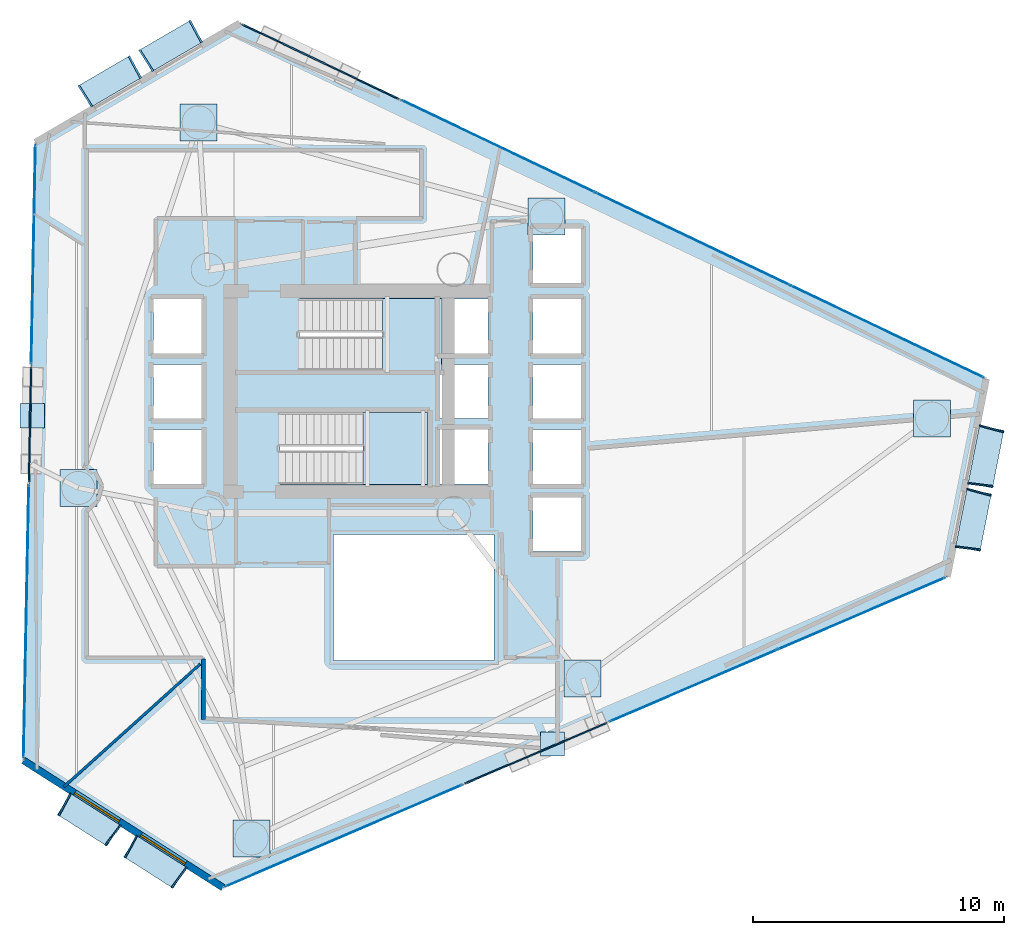
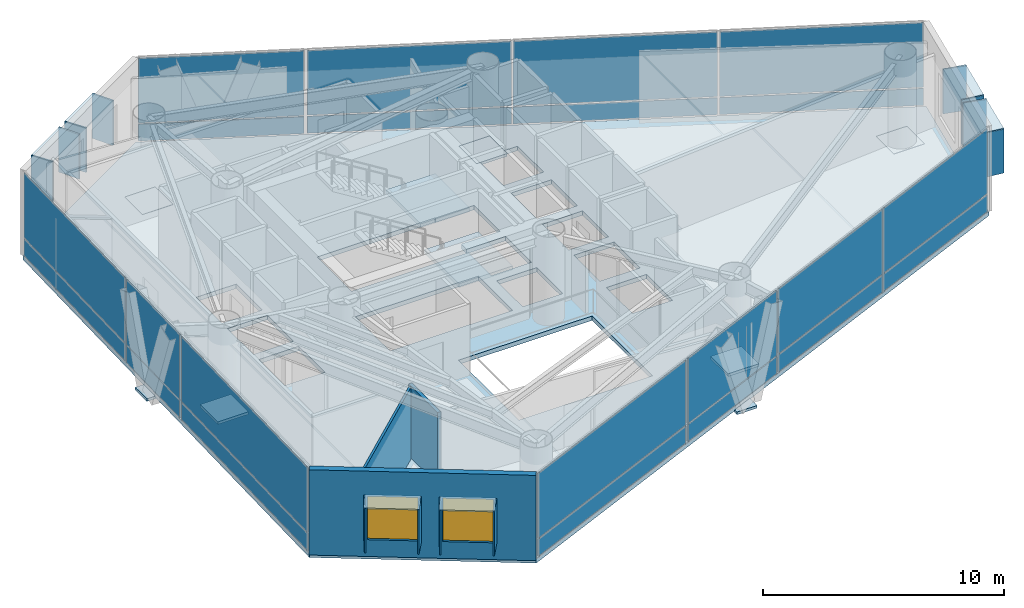
# One storey, part 15 of 21: 48 plates, 3 slabs, 3 walls, 2 windows, 2 openings, 10 elements without a shape of their own.
"""IFC4 building model written with IfcOpenShell, lengths in metres."""

from ifc_helpers import new_model, si_unit, direction, frame, frame_2d, origin, origin_2d, place, context, subcontext, project, spatial, polyline, rectangle, outline, extrude, material, layer, layer_set, type_object, element, fill, aggregate, save


model = new_model("IFC4")

# Units and contexts
model_context = context("Model", 3, precision=1e-05, world=origin(), true_north=direction((0.0, 1.0)))
body_context = subcontext(model_context, "Body", "Model", "MODEL_VIEW")
ifc_project = project(units=[si_unit("LENGTHUNIT", "METRE"), si_unit("AREAUNIT", "SQUARE_METRE"), si_unit("VOLUMEUNIT", "CUBIC_METRE"), si_unit("PLANEANGLEUNIT", "RADIAN"), si_unit("MASSUNIT", "GRAM", prefix="KILO")], contexts=[model_context])

# Site, building, storey
site_placement = place(None, origin())
site = spatial("IfcSite", under=ifc_project, at=site_placement, CompositionType="ELEMENT")
building_placement = place(site_placement, origin())
building = spatial("IfcBuilding", under=site, at=building_placement, Name="Qianvela Tower", CompositionType="ELEMENT")
storey_placement = place(building_placement, frame((0.0, 0.0, 143.10009765625)))
storey = spatial("IfcBuildingStorey", under=building, at=storey_placement, Name="L36", CompositionType="ELEMENT", Elevation=143.10009765625)

# Curtain wall, plates
ifc_material_1 = material(Name="Anodised Architectural Aluminium and Insulated Spandrel Panel", Category="aluminium")
ifc_layer_1 = layer(ifc_material_1, 0.179931640625)
ifc_layer_set_1 = layer_set([ifc_layer_1], Name="Anodised Architectural Aluminium and Insulated Spandrel Panel")
curtain_wall_type_1 = type_object("IfcCurtainWallType", Name="CW-BRACEBAY", PredefinedType="USERDEFINED", material=ifc_layer_set_1)
curtain_wall_1_placement = place(storey_placement, origin())
curtain_wall_1 = element("IfcCurtainWall", 1, at=curtain_wall_1_placement, inside=storey, type_object=curtain_wall_type_1, Name="L36 CW-BRACEBAY Curtain Wall 02B", ObjectType="CURTAIN_WALL_SYSTEM", PredefinedType="USERDEFINED")
ifc_material_2 = material(Name="Insulated Aluminium Spandrel Panel with Mineral-Wool Backpan", Category="aluminium")
ifc_layer_2 = layer(ifc_material_2, 0.06005859375)
ifc_layer_set_2 = layer_set([ifc_layer_2], Name="Insulated Aluminium Spandrel Panel with Mineral-Wool Backpan")
plate_type_1 = type_object("IfcPlateType", Name="CW-BRACEBAY-PNL", PredefinedType="CURTAIN_PANEL", material=ifc_layer_set_2)
plate_1_placement = place(storey_placement, frame((33.095947265625, 41.828857421875, 0.06494140625), z_axis=(0.0, 0.0, 1.0), x_axis=(-0.902787653547, 0.430086564081, 0.0)))
plate_1 = element("IfcPlate", 2, at=plate_1_placement, type_object=plate_type_1, Name="CW-9 panel 1.1", PredefinedType="CURTAIN_PANEL", context=body_context, shape_type="SweptSolid", body=[
    extrude(rectangle(XDim=6.898193359375, YDim=0.06005859375, at=origin_2d()), origin(), (0.0, 0.0, 1.0), 0.8525390625),
])
plate_2_placement = place(storey_placement, frame((33.095947265625, 41.828857421875, 0.982421875), z_axis=(0.0, 0.0, 1.0), x_axis=(-0.902787653547, 0.430086564081, 0.0)))
plate_2 = element("IfcPlate", 3, at=plate_2_placement, type_object=plate_type_1, Name="CW-9 panel 1.2", PredefinedType="CURTAIN_PANEL", context=body_context, shape_type="SweptSolid", body=[
    extrude(rectangle(XDim=6.898193359375, YDim=0.06005859375, at=origin_2d()), origin(), (0.0, 0.0, 1.0), 3.2724609375),
])
aggregate(curtain_wall_1, [plate_1, plate_2])

curtain_wall_2_placement = place(storey_placement, origin())
curtain_wall_2 = element("IfcCurtainWall", 4, at=curtain_wall_2_placement, inside=storey, type_object=curtain_wall_type_1, Name="L36 CW-BRACEBAY Curtain Wall 04B", ObjectType="CURTAIN_WALL_SYSTEM", PredefinedType="USERDEFINED")
plate_3_placement = place(storey_placement, frame((21.523681640625, 27.386474609375, 0.06494140625), z_axis=(0.0, 0.0, 1.0), x_axis=(-0.019531929019, -0.999809233678, 0.0)))
plate_3 = element("IfcPlate", 5, at=plate_3_placement, type_object=plate_type_1, Name="CW-9 panel 1.1", PredefinedType="CURTAIN_PANEL", context=body_context, shape_type="SweptSolid", body=[
    extrude(rectangle(XDim=4.570068359375, YDim=0.06005859375, at=origin_2d()), origin(), (0.0, 0.0, 1.0), 0.8525390625),
])
plate_4_placement = place(storey_placement, frame((21.523681640625, 27.386474609375, 0.982421875), z_axis=(0.0, 0.0, 1.0), x_axis=(-0.019531929019, -0.999809233678, 0.0)))
plate_4 = element("IfcPlate", 6, at=plate_4_placement, type_object=plate_type_1, Name="CW-9 panel 1.2", PredefinedType="CURTAIN_PANEL", context=body_context, shape_type="SweptSolid", body=[
    extrude(rectangle(XDim=4.570068359375, YDim=0.06005859375, at=origin_2d()), origin(), (0.0, 0.0, 1.0), 3.2724609375),
])
aggregate(curtain_wall_2, [plate_3, plate_4])

curtain_wall_3_placement = place(storey_placement, origin())
curtain_wall_3 = element("IfcCurtainWall", 7, at=curtain_wall_3_placement, inside=storey, type_object=curtain_wall_type_1, Name="L36 CW-BRACEBAY Curtain Wall 06B", ObjectType="CURTAIN_WALL_SYSTEM", PredefinedType="USERDEFINED")
plate_5_placement = place(storey_placement, frame((41.670654296875, 14.30029296875, 0.06494140625), z_axis=(0.0, 0.0, 1.0), x_axis=(0.918905628627, 0.394477433674, 0.0)))
plate_5 = element("IfcPlate", 8, at=plate_5_placement, type_object=plate_type_1, Name="CW-9 panel 1.1", PredefinedType="CURTAIN_PANEL", context=body_context, shape_type="SweptSolid", body=[
    extrude(rectangle(XDim=6.14013671875, YDim=0.06005859375, at=origin_2d()), origin(), (0.0, 0.0, 1.0), 0.8525390625),
])
plate_6_placement = place(storey_placement, frame((41.670654296875, 14.30029296875, 0.982421875), z_axis=(0.0, 0.0, 1.0), x_axis=(0.918905628627, 0.394477433674, 0.0)))
plate_6 = element("IfcPlate", 9, at=plate_6_placement, type_object=plate_type_1, Name="CW-9 panel 1.2", PredefinedType="CURTAIN_PANEL", context=body_context, shape_type="SweptSolid", body=[
    extrude(rectangle(XDim=6.14013671875, YDim=0.06005859375, at=origin_2d()), origin(), (0.0, 0.0, 1.0), 3.2724609375),
])
aggregate(curtain_wall_3, [plate_5, plate_6])

ifc_material_3 = material(Name="Anodised Architectural Aluminium and Low-E Glass", Category="aluminium")
ifc_layer_3 = layer(ifc_material_3, 0.18994140625)
ifc_layer_set_3 = layer_set([ifc_layer_3], Name="Anodised Architectural Aluminium and Low-E Glass")
curtain_wall_type_2 = type_object("IfcCurtainWallType", Name="CW-SKYLOBBY", PredefinedType="USERDEFINED", material=ifc_layer_set_3)
curtain_wall_4_placement = place(storey_placement, origin())
curtain_wall_4 = element("IfcCurtainWall", 10, at=curtain_wall_4_placement, inside=storey, type_object=curtain_wall_type_2, Name="L36 CW-SKYLOBBY Curtain Wall 02A", ObjectType="CURTAIN_WALL_SYSTEM", PredefinedType="USERDEFINED")
ifc_material_4 = material(Name="Double-Silver Low-E Insulated Glass", Category="glass")
ifc_layer_4 = layer(ifc_material_4, 0.033935546875)
ifc_layer_set_4 = layer_set([ifc_layer_4], Name="Double-Silver Low-E Insulated Glass")
plate_type_2 = type_object("IfcPlateType", Name="CW-SKYLOBBY-PNL", PredefinedType="CURTAIN_PANEL", material=ifc_layer_set_4)
plate_7_placement = place(storey_placement, frame((55.6474609375, 31.08544921875, 0.06494140625), z_axis=(0.0, 0.0, 1.0), x_axis=(-0.90278686974, 0.430088209354, 0.0)))
plate_7 = element("IfcPlate", 11, at=plate_7_placement, type_object=plate_type_2, Name="CW-7 panel 1.1", PredefinedType="CURTAIN_PANEL", context=body_context, shape_type="SweptSolid", body=[
    extrude(rectangle(XDim=8.48828125, YDim=0.033935546875, at=origin_2d()), origin(), (0.0, 0.0, 1.0), 0.8525390625),
])
plate_8_placement = place(storey_placement, frame((55.6474609375, 31.08544921875, 0.982421875), z_axis=(0.0, 0.0, 1.0), x_axis=(-0.90278686974, 0.430088209354, 0.0)))
plate_8 = element("IfcPlate", 12, at=plate_8_placement, type_object=plate_type_2, Name="CW-7 panel 1.2", PredefinedType="CURTAIN_PANEL", context=body_context, shape_type="SweptSolid", body=[
    extrude(rectangle(XDim=8.48828125, YDim=0.033935546875, at=origin_2d()), origin(), (0.0, 0.0, 1.0), 3.2724609375),
])
plate_9_placement = place(storey_placement, frame((47.9052734375, 34.773681640625, 0.06494140625), z_axis=(0.0, 0.0, 1.0), x_axis=(-0.90278686974, 0.430088209354, 0.0)))
plate_9 = element("IfcPlate", 13, at=plate_9_placement, type_object=plate_type_2, Name="CW-7 panel 2.1", PredefinedType="CURTAIN_PANEL", context=body_context, shape_type="SweptSolid", body=[
    extrude(rectangle(XDim=8.5234375, YDim=0.033935546875, at=origin_2d()), origin(), (0.0, 0.0, 1.0), 0.8525390625),
])
plate_10_placement = place(storey_placement, frame((47.9052734375, 34.773681640625, 0.982421875), z_axis=(0.0, 0.0, 1.0), x_axis=(-0.90278686974, 0.430088209354, 0.0)))
plate_10 = element("IfcPlate", 14, at=plate_10_placement, type_object=plate_type_2, Name="CW-7 panel 2.2", PredefinedType="CURTAIN_PANEL", context=body_context, shape_type="SweptSolid", body=[
    extrude(rectangle(XDim=8.5234375, YDim=0.033935546875, at=origin_2d()), origin(), (0.0, 0.0, 1.0), 3.2724609375),
])
plate_11_placement = place(storey_placement, frame((40.1630859375, 38.462158203125, 0.06494140625), z_axis=(0.0, 0.0, 1.0), x_axis=(-0.90278686974, 0.430088209354, 0.0)))
plate_11 = element("IfcPlate", 15, at=plate_11_placement, type_object=plate_type_2, Name="CW-7 panel 3.1", PredefinedType="CURTAIN_PANEL", context=body_context, shape_type="SweptSolid", body=[
    extrude(rectangle(XDim=8.48828125, YDim=0.033935546875, at=origin_2d()), origin(), (0.0, 0.0, 1.0), 0.8525390625),
])
plate_12_placement = place(storey_placement, frame((40.1630859375, 38.462158203125, 0.982421875), z_axis=(0.0, 0.0, 1.0), x_axis=(-0.90278686974, 0.430088209354, 0.0)))
plate_12 = element("IfcPlate", 16, at=plate_12_placement, type_object=plate_type_2, Name="CW-7 panel 3.2", PredefinedType="CURTAIN_PANEL", context=body_context, shape_type="SweptSolid", body=[
    extrude(rectangle(XDim=8.48828125, YDim=0.033935546875, at=origin_2d()), origin(), (0.0, 0.0, 1.0), 3.2724609375),
])
aggregate(curtain_wall_4, [plate_7, plate_8, plate_9, plate_10, plate_11, plate_12])

curtain_wall_5_placement = place(storey_placement, origin())
curtain_wall_5 = element("IfcCurtainWall", 17, at=curtain_wall_5_placement, inside=storey, type_object=curtain_wall_type_2, Name="L36 CW-SKYLOBBY Curtain Wall 04A", ObjectType="CURTAIN_WALL_SYSTEM", PredefinedType="USERDEFINED")
plate_13_placement = place(storey_placement, frame((21.656005859375, 34.150146484375, 0.06494140625), z_axis=(0.0, 0.0, 1.0), x_axis=(-0.019547027493, -0.999808938606, 0.0)))
plate_13 = element("IfcPlate", 18, at=plate_13_placement, type_object=plate_type_2, Name="CW-7 panel 1.1", PredefinedType="CURTAIN_PANEL", context=body_context, shape_type="SweptSolid", body=[
    extrude(rectangle(XDim=8.68994140625, YDim=0.033935546875, at=origin_2d()), origin(), (0.0, 0.0, 1.0), 0.8525390625),
])
plate_14_placement = place(storey_placement, frame((21.656005859375, 34.150146484375, 0.982421875), z_axis=(0.0, 0.0, 1.0), x_axis=(-0.019547027493, -0.999808938606, 0.0)))
plate_14 = element("IfcPlate", 19, at=plate_14_placement, type_object=plate_type_2, Name="CW-7 panel 1.2", PredefinedType="CURTAIN_PANEL", context=body_context, shape_type="SweptSolid", body=[
    extrude(rectangle(XDim=8.68994140625, YDim=0.033935546875, at=origin_2d()), origin(), (0.0, 0.0, 1.0), 3.2724609375),
])
aggregate(curtain_wall_5, [plate_13, plate_14])

curtain_wall_6_placement = place(storey_placement, origin())
curtain_wall_6 = element("IfcCurtainWall", 20, at=curtain_wall_6_placement, inside=storey, type_object=curtain_wall_type_2, Name="L36 CW-SKYLOBBY Curtain Wall 04C", ObjectType="CURTAIN_WALL_SYSTEM", PredefinedType="USERDEFINED")
plate_15_placement = place(storey_placement, frame((21.37060546875, 19.549072265625, 0.06494140625), z_axis=(0.0, 0.0, 1.0), x_axis=(-0.019548191335, -0.999808915851, 0.0)))
plate_15 = element("IfcPlate", 21, at=plate_15_placement, type_object=plate_type_2, Name="CW-7 panel 1.1", PredefinedType="CURTAIN_PANEL", context=body_context, shape_type="SweptSolid", body=[
    extrude(rectangle(XDim=10.837890625, YDim=0.033935546875, at=origin_2d()), origin(), (0.0, 0.0, 1.0), 0.8525390625),
])
plate_16_placement = place(storey_placement, frame((21.37060546875, 19.549072265625, 0.982421875), z_axis=(0.0, 0.0, 1.0), x_axis=(-0.019548191335, -0.999808915851, 0.0)))
plate_16 = element("IfcPlate", 22, at=plate_16_placement, type_object=plate_type_2, Name="CW-7 panel 1.2", PredefinedType="CURTAIN_PANEL", context=body_context, shape_type="SweptSolid", body=[
    extrude(rectangle(XDim=10.837890625, YDim=0.033935546875, at=origin_2d()), origin(), (0.0, 0.0, 1.0), 3.2724609375),
])
aggregate(curtain_wall_6, [plate_15, plate_16])

curtain_wall_7_placement = place(storey_placement, origin())
curtain_wall_7 = element("IfcCurtainWall", 23, at=curtain_wall_7_placement, inside=storey, type_object=curtain_wall_type_2, Name="L36 CW-SKYLOBBY Curtain Wall 06A", ObjectType="CURTAIN_WALL_SYSTEM", PredefinedType="USERDEFINED")
plate_17_placement = place(storey_placement, frame((34.020751953125, 11.016357421875, 0.06494140625), z_axis=(0.0, 0.0, 1.0), x_axis=(0.918909167423, 0.39446919021, 0.0)))
plate_17 = element("IfcPlate", 24, at=plate_17_placement, type_object=plate_type_2, Name="CW-7 panel 1.1", PredefinedType="CURTAIN_PANEL", context=body_context, shape_type="SweptSolid", body=[
    extrude(rectangle(XDim=10.239990234375, YDim=0.033935546875, at=origin_2d()), origin(), (0.0, 0.0, 1.0), 0.8525390625),
])
plate_18_placement = place(storey_placement, frame((34.020751953125, 11.016357421875, 0.982421875), z_axis=(0.0, 0.0, 1.0), x_axis=(0.918909167423, 0.39446919021, 0.0)))
plate_18 = element("IfcPlate", 25, at=plate_18_placement, type_object=plate_type_2, Name="CW-7 panel 1.2", PredefinedType="CURTAIN_PANEL", context=body_context, shape_type="SweptSolid", body=[
    extrude(rectangle(XDim=10.239990234375, YDim=0.033935546875, at=origin_2d()), origin(), (0.0, 0.0, 1.0), 3.2724609375),
])
aggregate(curtain_wall_7, [plate_17, plate_18])

curtain_wall_8_placement = place(storey_placement, origin())
curtain_wall_8 = element("IfcCurtainWall", 26, at=curtain_wall_8_placement, inside=storey, type_object=curtain_wall_type_2, Name="L36 CW-SKYLOBBY Curtain Wall 06C", ObjectType="CURTAIN_WALL_SYSTEM", PredefinedType="USERDEFINED")
plate_19_placement = place(storey_placement, frame((47.9267578125, 16.986083984375, 0.06494140625), z_axis=(0.0, 0.0, 1.0), x_axis=(0.918908228887, 0.394471376508, 0.0)))
plate_19 = element("IfcPlate", 27, at=plate_19_placement, type_object=plate_type_2, Name="CW-7 panel 1.1", PredefinedType="CURTAIN_PANEL", context=body_context, shape_type="SweptSolid", body=[
    extrude(rectangle(XDim=7.20654296875, YDim=0.033935546875, at=origin_2d()), origin(), (0.0, 0.0, 1.0), 0.8525390625),
])
plate_20_placement = place(storey_placement, frame((47.9267578125, 16.986083984375, 0.982421875), z_axis=(0.0, 0.0, 1.0), x_axis=(0.918908228887, 0.394471376508, 0.0)))
plate_20 = element("IfcPlate", 28, at=plate_20_placement, type_object=plate_type_2, Name="CW-7 panel 1.2", PredefinedType="CURTAIN_PANEL", context=body_context, shape_type="SweptSolid", body=[
    extrude(rectangle(XDim=7.20654296875, YDim=0.033935546875, at=origin_2d()), origin(), (0.0, 0.0, 1.0), 3.2724609375),
])
plate_21_placement = place(storey_placement, frame((54.61328125, 19.8564453125, 0.06494140625), z_axis=(0.0, 0.0, 1.0), x_axis=(0.918908228887, 0.394471376508, 0.0)))
plate_21 = element("IfcPlate", 29, at=plate_21_placement, type_object=plate_type_2, Name="CW-7 panel 2.1", PredefinedType="CURTAIN_PANEL", context=body_context, shape_type="SweptSolid", body=[
    extrude(rectangle(XDim=7.20654296875, YDim=0.033935546875, at=origin_2d()), origin(), (0.0, 0.0, 1.0), 0.8525390625),
])
plate_22_placement = place(storey_placement, frame((54.61328125, 19.8564453125, 0.982421875), z_axis=(0.0, 0.0, 1.0), x_axis=(0.918908228887, 0.394471376508, 0.0)))
plate_22 = element("IfcPlate", 30, at=plate_22_placement, type_object=plate_type_2, Name="CW-7 panel 2.2", PredefinedType="CURTAIN_PANEL", context=body_context, shape_type="SweptSolid", body=[
    extrude(rectangle(XDim=7.20654296875, YDim=0.033935546875, at=origin_2d()), origin(), (0.0, 0.0, 1.0), 3.2724609375),
])
aggregate(curtain_wall_8, [plate_19, plate_20, plate_21, plate_22])

# Plates
ifc_material_5 = material(Name="Steel Q420GJC", Category="steel")
ifc_layer_5 = layer(ifc_material_5, 0.1298828125)
ifc_layer_set_5 = layer_set([ifc_layer_5], Name="Steel Q420GJC")
plate_type_3 = type_object("IfcPlateType", Name="PT-ENDCAP-130", PredefinedType="USERDEFINED", material=ifc_layer_set_5)
for number, where, z_axis, x_axis, name in (
    (31, (21.610595703125, 27.740478515625, -0.301513671875), (0.0, 0.0, 1.0), (1.0, 0.0, 0.0), "L36 Hollow Section End Cap Plate A"),
    (32, (42.32421875, 14.668212890625, -0.301513671875), (0.0, 0.0, 1.0), (1.0, 0.0, 0.0), "L36 Hollow Section End Cap Plate A"),
):
    element("IfcPlate", number, at=place(storey_placement, frame(where, z_axis=z_axis, x_axis=x_axis)), inside=storey, type_object=plate_type_3, Name=name, ObjectType="END_CAP", PredefinedType="USERDEFINED", context=body_context, shape_type="SweptSolid", body=[
        extrude(rectangle(XDim=0.969970703125, YDim=0.969970703125, at=origin_2d()), origin(), (0.0, 0.0, 1.0), 0.1298828125),
    ])
ifc_material_6 = material(Name="Steel Q420GJC", Category="steel")
ifc_layer_6 = layer(ifc_material_6, 0.139892578125)
ifc_layer_set_6 = layer_set([ifc_layer_6], Name="Steel Q420GJC")
plate_type_4 = type_object("IfcPlateType", Name="PT-GUSSET-NODE-140", PredefinedType="USERDEFINED", material=ifc_layer_set_6)
for number, where, z_axis, x_axis, name in (
    (33, (57.43408203125, 27.617919921875, -0.13525390625), (0.0, 0.0, 1.0), (1.0, 0.0, 0.0), "L36 Node Gusset Plate BOT"),
    (34, (42.0830078125, 35.6689453125, -0.13525390625), (0.0, 0.0, 1.0), (1.0, 0.0, 0.0), "L36 Node Gusset Plate BOT"),
    (35, (28.235107421875, 39.410888671875, -0.13525390625), (0.0, 0.0, 1.0), (1.0, 0.0, 0.0), "L36 Node Gusset Plate BOT"),
    (36, (23.446044921875, 24.85888671875, -0.13525390625), (0.0, 0.0, 1.0), (1.0, 0.0, 0.0), "L36 Node Gusset Plate BOT"),
    (37, (30.346923828125, 10.908935546875, -0.13525390625), (0.0, 0.0, 1.0), (1.0, 0.0, 0.0), "L36 Node Gusset Plate BOT"),
    (38, (43.52490234375, 17.279052734375, -0.13525390625), (0.0, 0.0, 1.0), (1.0, 0.0, 0.0), "L36 Node Gusset Plate BOT"),
):
    element("IfcPlate", number, at=place(storey_placement, frame(where, z_axis=z_axis, x_axis=x_axis)), inside=storey, type_object=plate_type_4, Name=name, ObjectType="GUSSET_PLATE", PredefinedType="USERDEFINED", context=body_context, shape_type="SweptSolid", body=[
        extrude(rectangle(XDim=1.469970703125, YDim=1.469970703125, at=origin_2d()), origin(), (0.0, 0.0, 1.0), 0.139892578125),
    ])

# Slab
ifc_material_7 = material(Name="Concrete C40", Category="concrete")
ifc_layer_7 = layer(ifc_material_7, 0.219970703125)
ifc_layer_set_7 = layer_set([ifc_layer_7], Name="Concrete C40")
slab_type_1 = type_object("IfcSlabType", Name="SL-POD-220", PredefinedType="FLOOR", material=ifc_layer_set_7)
slab_1_placement = place(storey_placement, frame((0.0, 0.0, -0.22021484375)))
element("IfcSlab", 39, at=slab_1_placement, inside=storey, type_object=slab_type_1, Name="L36 Composite Structural Floor Slab", PredefinedType="FLOOR", context=body_context, shape_type="SweptSolid", body=[
    extrude(outline(polyline([(58.03466796875, 21.3251953125), (59.58740234375, 29.20849609375), (29.87841796875, 43.36181640625), (21.7431640625, 38.614501953125), (21.26220703125, 14.010986328125), (29.20556640625, 8.949462890625), (58.03466796875, 21.3251953125)]), holes=[polyline([(40.0, 23.0), (33.60009765625, 23.0), (33.60009765625, 18.0), (40.0, 18.0), (40.0, 23.0)]), polyline([(28.360107421875, 25.02001953125), (28.360107421875, 27.179931640625), (26.43994140625, 27.179931640625), (26.43994140625, 25.02001953125), (28.360107421875, 25.02001953125)]), polyline([(37.35009765625, 25.0), (37.35009765625, 27.860107421875), (31.469970703125, 27.860107421875), (31.469970703125, 25.0), (37.35009765625, 25.0)]), polyline([(28.360107421875, 27.6201171875), (28.360107421875, 29.780029296875), (26.43994140625, 29.780029296875), (26.43994140625, 27.6201171875), (28.360107421875, 27.6201171875)]), polyline([(37.89990234375, 32.3798828125), (37.89990234375, 32.39990234375), (32.25, 32.39990234375), (32.25, 29.5400390625), (37.840087890625, 29.5400390625), (37.840087890625, 27.6201171875), (39.760009765625, 27.6201171875), (39.760009765625, 29.780029296875), (37.89990234375, 29.780029296875), (37.89990234375, 30.219970703125), (39.760009765625, 30.219970703125), (39.760009765625, 32.3798828125), (37.89990234375, 32.3798828125)]), polyline([(28.360107421875, 30.219970703125), (28.360107421875, 32.3798828125), (26.43994140625, 32.3798828125), (26.43994140625, 30.219970703125), (28.360107421875, 30.219970703125)]), polyline([(43.4599609375, 24.47998046875), (41.5400390625, 24.47998046875), (41.5400390625, 22.320068359375), (43.4599609375, 22.320068359375), (43.4599609375, 24.47998046875)]), polyline([(39.760009765625, 25.02001953125), (39.760009765625, 27.179931640625), (37.840087890625, 27.179931640625), (37.840087890625, 25.02001953125), (39.760009765625, 25.02001953125)]), polyline([(43.4599609375, 25.02001953125), (43.4599609375, 27.179931640625), (41.5400390625, 27.179931640625), (41.5400390625, 25.02001953125), (43.4599609375, 25.02001953125)]), polyline([(43.4599609375, 27.6201171875), (43.4599609375, 29.780029296875), (41.5400390625, 29.780029296875), (41.5400390625, 27.6201171875), (43.4599609375, 27.6201171875)]), polyline([(43.4599609375, 30.219970703125), (43.4599609375, 32.3798828125), (41.5400390625, 32.3798828125), (41.5400390625, 30.219970703125), (43.4599609375, 30.219970703125)]), polyline([(43.4599609375, 33.02001953125), (43.4599609375, 35.179931640625), (41.5400390625, 35.179931640625), (41.5400390625, 33.02001953125), (43.4599609375, 33.02001953125)])]), origin(), (0.0, 0.0, 1.0), 0.22021484375),
])

# Stair, slab
ifc_material_8 = material(Name="Concrete C40", Category="concrete")
stair_type = type_object("IfcStairType", Name="ST-DOGLEG-1350-R173-N26", PredefinedType="HALF_TURN_STAIR", material=ifc_material_8)
stair_1_placement = place(storey_placement, origin())
stair_1 = element("IfcStair", 40, at=stair_1_placement, inside=storey, type_object=stair_type, Name="L36 Smoke-Proof Core Stair ST-1", PredefinedType="HALF_TURN_STAIR")
ifc_material_9 = material(Name="Concrete C40", Category="concrete")
ifc_layer_8 = layer(ifc_material_9, 0.199951171875)
ifc_layer_set_8 = layer_set([ifc_layer_8], Name="Concrete C40")
slab_type_2 = type_object("IfcSlabType", Name="SL-STAIR-LANDING-200", PredefinedType="LANDING", material=ifc_layer_set_8)
slab_2_placement = place(storey_placement, frame((0.0, 0.0, 2.0498046875)))
slab_2 = element("IfcSlab", 41, at=slab_2_placement, type_object=slab_type_2, Name="ST-1 landing 1", PredefinedType="LANDING", context=body_context, shape_type="SweptSolid", body=[
    extrude(outline(polyline([(35.56005859375, 29.5400390625), (37.89990234375, 29.5400390625), (37.89990234375, 32.39990234375), (35.56005859375, 32.39990234375), (35.56005859375, 29.5400390625)])), origin(), (0.0, 0.0, 1.0), 0.2001953125),
])
aggregate(stair_1, [slab_2])

stair_2_placement = place(storey_placement, origin())
stair_2 = element("IfcStair", 42, at=stair_2_placement, inside=storey, type_object=stair_type, Name="L36 Smoke-Proof Core Stair ST-2", PredefinedType="HALF_TURN_STAIR")
slab_3_placement = place(storey_placement, frame((0.0, 0.0, 2.0498046875)))
slab_3 = element("IfcSlab", 43, at=slab_3_placement, type_object=slab_type_2, Name="ST-2 landing 1", PredefinedType="LANDING", context=body_context, shape_type="SweptSolid", body=[
    extrude(outline(polyline([(34.780029296875, 25.0), (37.35009765625, 25.0), (37.35009765625, 27.860107421875), (34.780029296875, 27.860107421875), (34.780029296875, 25.0)])), origin(), (0.0, 0.0, 1.0), 0.2001953125),
])
aggregate(stair_2, [slab_3])

# Plates
ifc_material_10 = material(Name="Vitrified Architectural Terracotta Panel", Category="masonry")
ifc_layer_9 = layer(ifc_material_10, 0.06005859375)
ifc_layer_set_9 = layer_set([ifc_layer_9], Name="Vitrified Architectural Terracotta Panel")
plate_type_5 = type_object("IfcPlateType", Name="TERRACOTTA-SUNSHADE-HOOD-FOLD-A", PredefinedType="USERDEFINED", material=ifc_layer_set_9)
for number, where, z_axis, x_axis, name in (
    (44, (59.084228515625, 23.5751953125, 3.059814453125), (0.0, 0.0, 1.0), (0.19326178897, 0.981147226936, 0.0), "L36 Terracotta Sunshade Hood FOLD-A"),
    (45, (59.581787109375, 26.1005859375, 3.059814453125), (0.0, 0.0, 1.0), (0.19326178897, 0.981147226936, 0.0), "L36 Terracotta Sunshade Hood FOLD-A"),
    (46, (23.865234375, 11.64697265625, 3.059814453125), (0.0, 0.0, 1.0), (0.843334237385, -0.537389397043, 0.0), "L36 Terracotta Sunshade Hood FOLD-A"),
    (47, (26.502685546875, 9.966064453125, 3.059814453125), (0.0, 0.0, 1.0), (0.843334237385, -0.537389397043, 0.0), "L36 Terracotta Sunshade Hood FOLD-A"),
):
    element("IfcPlate", number, at=place(storey_placement, frame(where, z_axis=z_axis, x_axis=x_axis)), inside=storey, type_object=plate_type_5, Name=name, ObjectType="SUNSHADE", PredefinedType="USERDEFINED", context=body_context, shape_type="SweptSolid", body=[
        extrude(rectangle(XDim=2.340087890625, YDim=0.989990234375, at=origin_2d()), origin(), (0.0, 0.0, 1.0), 0.06005859375),
    ])
ifc_material_11 = material(Name="Vitrified Architectural Terracotta Panel", Category="masonry")
ifc_layer_10 = layer(ifc_material_11, 0.070068359375)
ifc_layer_set_10 = layer_set([ifc_layer_10], Name="Vitrified Architectural Terracotta Panel")
plate_type_6 = type_object("IfcPlateType", Name="TERRACOTTA-SUNSHADE-HOOD-FOLD-C", PredefinedType="USERDEFINED", material=ifc_layer_set_10)
for number, where, z_axis, x_axis, name in (
    (48, (27.137939453125, 42.451416015625, 3.059814453125), (0.0, 0.0, 1.0), (-0.863693031941, -0.50401820064, 0.0), "L36 Terracotta Sunshade Hood FOLD-C"),
    (49, (24.712890625, 41.036376953125, 3.059814453125), (0.0, 0.0, 1.0), (-0.863693031941, -0.50401820064, 0.0), "L36 Terracotta Sunshade Hood FOLD-C"),
):
    element("IfcPlate", number, at=place(storey_placement, frame(where, z_axis=z_axis, x_axis=x_axis)), inside=storey, type_object=plate_type_6, Name=name, ObjectType="SUNSHADE", PredefinedType="USERDEFINED", context=body_context, shape_type="SweptSolid", body=[
        extrude(rectangle(XDim=2.340087890625, YDim=0.989990234375, at=origin_2d()), origin(), (0.0, 0.0, 1.0), 0.06005859375),
    ])
ifc_material_12 = material(Name="Vitrified Architectural Terracotta Side Fin Panel", Category="masonry")
ifc_layer_11 = layer(ifc_material_12, 0.06494140625)
ifc_layer_set_11 = layer_set([ifc_layer_11], Name="Vitrified Architectural Terracotta Side Fin Panel")
plate_type_7 = type_object("IfcPlateType", Name="TERRACOTTA-SUNSHADE-STRUT-FOLD-A", PredefinedType="USERDEFINED", material=ifc_layer_set_11)
for number, where, z_axis, x_axis, name in (
    (50, (58.864013671875, 22.456787109375, 0.85009765625), (0.0, 0.0, 1.0), (0.124349642191, 0.992238462511, 0.0), "L36 Terracotta Sunshade Side Fin HL FOLD-A"),
    (51, (59.304443359375, 24.693603515625, 0.85009765625), (0.0, 0.0, 1.0), (0.261232383741, 0.965275940695, 0.0), "L36 Terracotta Sunshade Side Fin HR FOLD-A"),
    (52, (59.361328125, 24.98193359375, 0.85009765625), (0.0, 0.0, 1.0), (0.124349642191, 0.992238462511, 0.0), "L36 Terracotta Sunshade Side Fin HL FOLD-A"),
    (53, (59.802001953125, 27.218994140625, 0.85009765625), (0.0, 0.0, 1.0), (0.261232383741, 0.965275940695, 0.0), "L36 Terracotta Sunshade Side Fin HR FOLD-A"),
    (54, (22.90380859375, 12.259521484375, 0.85009765625), (0.0, 0.0, 1.0), (0.878766306934, -0.477252320893, 0.0), "L36 Terracotta Sunshade Side Fin HL FOLD-A"),
    (55, (24.82666015625, 11.0341796875, 0.85009765625), (0.0, 0.0, 1.0), (0.803793528203, -0.594908366069, 0.0), "L36 Terracotta Sunshade Side Fin HR FOLD-A"),
    (56, (25.54150390625, 10.578857421875, 0.85009765625), (0.0, 0.0, 1.0), (0.878766306934, -0.477252320893, 0.0), "L36 Terracotta Sunshade Side Fin HL FOLD-A"),
    (57, (27.464111328125, 9.353515625, 0.85009765625), (0.0, 0.0, 1.0), (0.803793528203, -0.594908366069, 0.0), "L36 Terracotta Sunshade Side Fin HR FOLD-A"),
):
    element("IfcPlate", number, at=place(storey_placement, frame(where, z_axis=z_axis, x_axis=x_axis)), inside=storey, type_object=plate_type_7, Name=name, ObjectType="SUNSHADE", PredefinedType="USERDEFINED", context=body_context, shape_type="SweptSolid", body=[
        extrude(rectangle(XDim=0.06494140625, YDim=1.010009765625, at=origin_2d()), origin(), (0.0, 0.0, 1.0), 2.260009765625),
    ])
ifc_material_13 = material(Name="Vitrified Architectural Terracotta Side Fin Panel", Category="masonry")
ifc_layer_12 = layer(ifc_material_13, 0.074951171875)
ifc_layer_set_12 = layer_set([ifc_layer_12], Name="Vitrified Architectural Terracotta Side Fin Panel")
plate_type_8 = type_object("IfcPlateType", Name="TERRACOTTA-SUNSHADE-STRUT-FOLD-C", PredefinedType="USERDEFINED", material=ifc_layer_set_12)
for number, where, z_axis, x_axis, name in (
    (58, (28.12255859375, 43.026123046875, 0.85009765625), (0.0, 0.0, 1.0), (-0.880756875013, -0.47356871425, 0.0), "L36 Terracotta Sunshade Side Fin HL FOLD-C"),
    (59, (26.1533203125, 41.876953125, 0.85009765625), (0.0, 0.0, 1.0), (-0.845576911951, -0.533853618491, 0.0), "L36 Terracotta Sunshade Side Fin HR FOLD-C"),
    (60, (25.697509765625, 41.611083984375, 0.85009765625), (0.0, 0.0, 1.0), (-0.880756875013, -0.47356871425, 0.0), "L36 Terracotta Sunshade Side Fin HL FOLD-C"),
    (61, (23.728515625, 40.4619140625, 0.85009765625), (0.0, 0.0, 1.0), (-0.845576911951, -0.533853618491, 0.0), "L36 Terracotta Sunshade Side Fin HR FOLD-C"),
):
    element("IfcPlate", number, at=place(storey_placement, frame(where, z_axis=z_axis, x_axis=x_axis)), inside=storey, type_object=plate_type_8, Name=name, ObjectType="SUNSHADE", PredefinedType="USERDEFINED", context=body_context, shape_type="SweptSolid", body=[
        extrude(rectangle(XDim=0.074951171875, YDim=1.010009765625, at=origin_2d()), origin(), (0.0, 0.0, 1.0), 2.260009765625),
    ])

# Wall, openings, windows
ifc_material_14 = material(Name="Terracotta Cladding on Concrete C40", Category="masonry")
ifc_layer_13 = layer(ifc_material_14, 0.280029296875)
ifc_layer_set_13 = layer_set([ifc_layer_13], Name="Terracotta Cladding on Concrete C40")
wall_type_1 = type_object("IfcWallType", Name="TERRACOTTA-WALL-280", PredefinedType="SOLIDWALL", material=ifc_layer_set_13)
wall_1_placement = place(storey_placement, frame((21.26220703125, 14.010986328125, 0.0), z_axis=(0.0, 0.0, 1.0), x_axis=(0.843341146408, -0.537378554442, 0.0)))
wall_1 = element("IfcWall", 62, at=wall_1_placement, inside=storey, type_object=wall_type_1, Name="L36 Terracotta Chamfer Facet Wall 5", PredefinedType="SOLIDWALL", context=body_context, shape_type="SweptSolid", body=[
    extrude(rectangle(XDim=9.4189453125, YDim=0.280029296875, at=frame_2d((4.70947265625, 0.0))), origin(), (0.0, 0.0, 1.0), 4.31982421875),
])
opening_1_placement = place(wall_1_placement, frame((2.415771484375, 0.0, 0.85009765625)))
opening_1 = element("IfcOpeningElement", 63, at=opening_1_placement, cuts=wall_1, Name="Opening W-04", PredefinedType="OPENING", context=body_context, shape_type="SweptSolid", body=[
    extrude(rectangle(XDim=2.10009765625, YDim=2.199951171875, at=frame_2d((1.050048828125, 1.10009765625))), frame((0.0, 0.14990234375, 0.0), z_axis=(0.0, -1.0, 0.0), x_axis=(1.0, 0.0, 0.0)), (0.0, 0.0, 1.0), 0.300048828125),
])
opening_2_placement = place(wall_1_placement, frame((5.543212890625, 0.0, 0.85009765625)))
opening_2 = element("IfcOpeningElement", 64, at=opening_2_placement, cuts=wall_1, Name="Opening W-04", PredefinedType="OPENING", context=body_context, shape_type="SweptSolid", body=[
    extrude(rectangle(XDim=2.10009765625, YDim=2.199951171875, at=frame_2d((1.050048828125, 1.10009765625))), frame((0.0, 0.14990234375, 0.0), z_axis=(0.0, -1.0, 0.0), x_axis=(1.0, 0.0, 0.0)), (0.0, 0.0, 1.0), 0.300048828125),
])
ifc_material_15 = material(Name="Thermally Broken Aluminium and Low-E Glass", Category="aluminium")
window_type = type_object("IfcWindowType", Name="WIN-TC-2100x2200", PartitioningType="TRIPLE_PANEL_VERTICAL", PredefinedType="WINDOW", material=ifc_material_15)
window_1_placement = place(opening_1_placement, origin())
window_1 = element("IfcWindow", 65, at=window_1_placement, inside=storey, type_object=window_type, Name="L36 Chamfer Facet Window 5.1", OverallHeight=2.199951171875, OverallWidth=2.10009765625, PartitioningType="SINGLE_PANEL", PredefinedType="WINDOW", context=body_context, shape_type="SweptSolid", body=[
    extrude(rectangle(XDim=2.10009765625, YDim=2.199951171875, at=frame_2d((1.050048828125, 1.10009765625))), frame((0.0, 0.030029296875, 0.0), z_axis=(0.0, -1.0, 0.0), x_axis=(1.0, 0.0, 0.0)), (0.0, 0.0, 1.0), 0.06005859375),
])
fill(opening_1, window_1)
window_2_placement = place(opening_2_placement, origin())
window_2 = element("IfcWindow", 66, at=window_2_placement, inside=storey, type_object=window_type, Name="L36 Chamfer Facet Window 5.2", OverallHeight=2.199951171875, OverallWidth=2.10009765625, PartitioningType="SINGLE_PANEL", PredefinedType="WINDOW", context=body_context, shape_type="SweptSolid", body=[
    extrude(rectangle(XDim=2.10009765625, YDim=2.199951171875, at=frame_2d((1.050048828125, 1.10009765625))), frame((0.0, 0.030029296875, 0.0), z_axis=(0.0, -1.0, 0.0), x_axis=(1.0, 0.0, 0.0)), (0.0, 0.0, 1.0), 0.06005859375),
])
fill(opening_2, window_2)

# Walls
ifc_material_16 = material(Name="Fire-Rated Gypsum and Concrete Block", Category="concrete")
ifc_layer_14 = layer(ifc_material_16, 0.159912109375)
ifc_layer_set_14 = layer_set([ifc_layer_14], Name="Fire-Rated Gypsum and Concrete Block")
wall_type_2 = type_object("IfcWallType", Name="WT-CORR-160", PredefinedType="PARTITIONING", material=ifc_layer_set_14)
wall_2_placement = place(storey_placement, frame((28.430908203125, 15.64990234375, 0.0), z_axis=(0.0, 0.0, 1.0), x_axis=(0.0, 1.0, 0.0)))
element("IfcWall", 67, at=wall_2_placement, inside=storey, type_object=wall_type_2, Name="L36 Partition 51", PredefinedType="PARTITIONING", context=body_context, shape_type="SweptSolid", body=[
    extrude(rectangle(XDim=2.400146484375, YDim=0.159912109375, at=frame_2d((1.2001953125, 0.0))), origin(), (0.0, 0.0, 1.0), 3.639892578125),
])
ifc_material_17 = material(Name="Lightweight Gypsum Room Partition")
ifc_layer_15 = layer(ifc_material_17, 0.10498046875)
ifc_layer_set_15 = layer_set([ifc_layer_15], Name="Lightweight Gypsum Room Partition")
wall_type_3 = type_object("IfcWallType", Name="WT-PART-105", PredefinedType="PARTITIONING", material=ifc_layer_set_15)
wall_3_placement = place(storey_placement, frame((28.29931640625, 17.8515625, 0.0), z_axis=(0.0, 0.0, 1.0), x_axis=(-0.743134593783, -0.669141969632, 0.0)))
element("IfcWall", 68, at=wall_3_placement, inside=storey, type_object=wall_type_3, Name="L36 Partition 64", PredefinedType="PARTITIONING", context=body_context, shape_type="SweptSolid", body=[
    extrude(rectangle(XDim=7.30517578125, YDim=0.10498046875, at=frame_2d((3.652587890625, 0.0))), origin(), (0.0, 0.0, 1.0), 3.639892578125),
])

save(model, "model.ifc")
